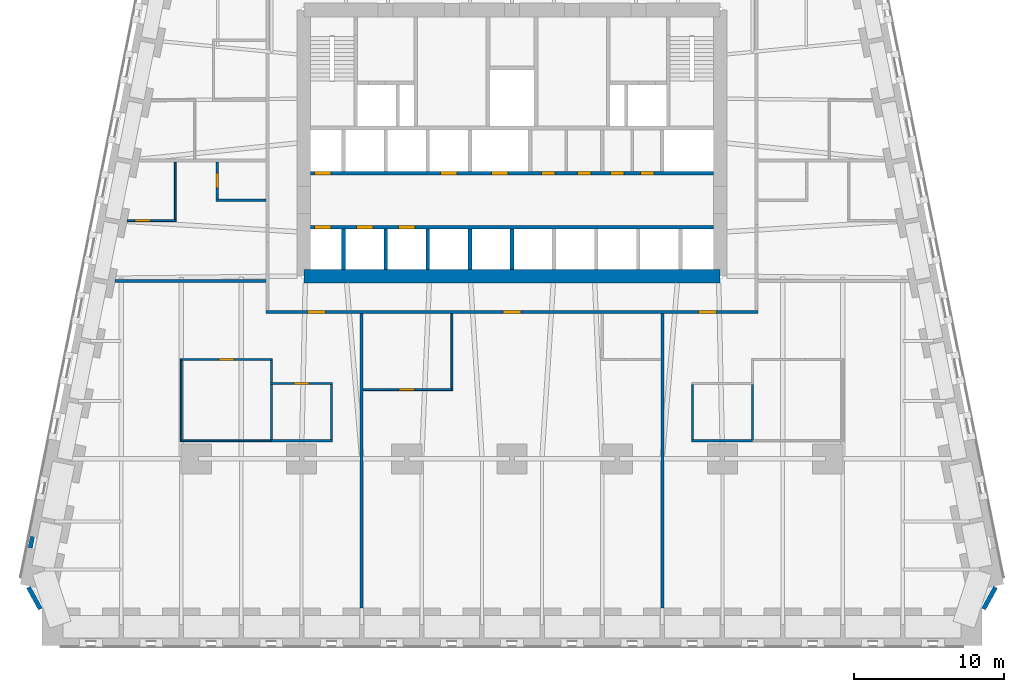
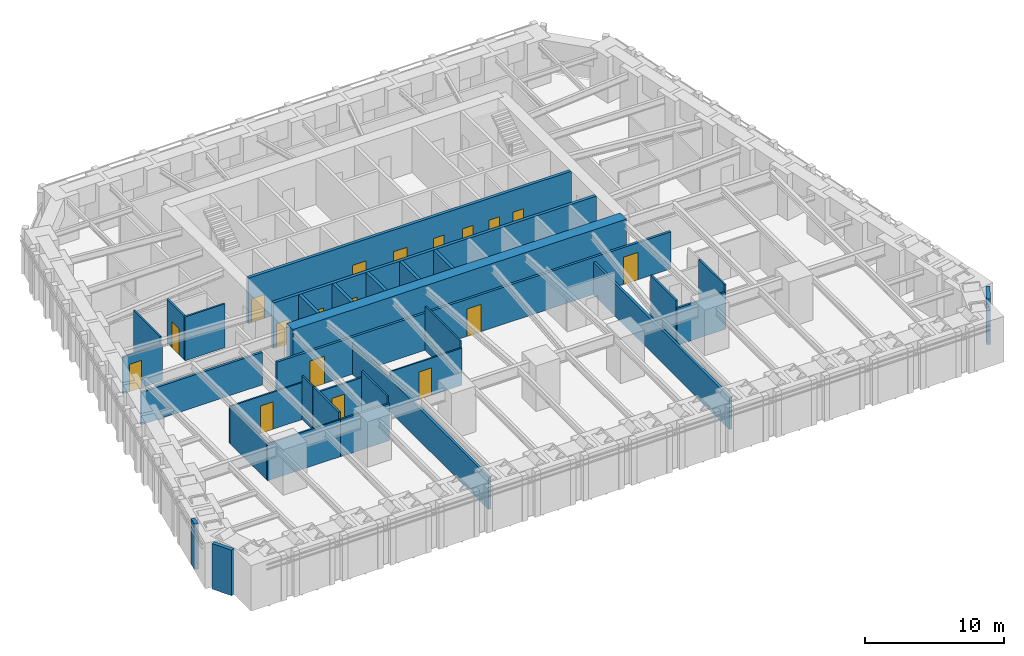
# One storey, part 12 of 16: 32 walls, 18 doors, 18 openings.
"""IFC4 building model written with IfcOpenShell, lengths in metres."""

import ifcopenshell
import ifcopenshell.guid

model = None  # the IFC model being written
_history = None  # IfcOwnerHistory: only IFC2X3 demands one
_inside = {}  # id of a spatial element -> (the spatial element, [elements in it])
_under = {}  # id of a project, library or spatial element -> (it, [spatial elements below it])
_declared = {}  # id of a project -> (the project, [libraries it declares])
_typed = {}  # id of a type object -> (the type object, [elements of that type])
_made_of = {}  # id of a material, layer set ... -> (it, [elements and type objects made of it])


def new_model(schema):
    """Start an empty IFC model of exactly this schema.

    Asked for "IFC4X3", IfcOpenShell would pick the latest addendum, in which some entities
    have other attributes; the version numbers below select the first issue.
    IFC2X3 requires an IfcOwnerHistory on every rooted entity: one is made here for all.
    """
    global model, _history
    if schema == "IFC4X3":
        model = ifcopenshell.file(schema_version=(4, 3, 0, 0))
    else:
        model = ifcopenshell.file(schema=schema)
    _inside.clear()
    _under.clear()
    _declared.clear()
    _typed.clear()
    _made_of.clear()
    _history = None
    if model.schema == "IFC2X3":
        org = make("IfcOrganization", Name="unknown")
        user = make(
            "IfcPersonAndOrganization",
            ThePerson=make("IfcPerson", FamilyName="unknown"),
            TheOrganization=org,
        )
        app = make(
            "IfcApplication",
            ApplicationDeveloper=org,
            Version="unknown",
            ApplicationFullName="unknown",
            ApplicationIdentifier="unknown",
        )
        _history = make(
            "IfcOwnerHistory",
            OwningUser=user,
            OwningApplication=app,
            ChangeAction="ADDED",
            CreationDate=0,
        )
    return model


def make(cls, **values):
    """One entity of the class cls with the attributes given. An attribute that is None is left unset."""
    return model.create_entity(
        cls, **{name: value for name, value in values.items() if value is not None}
    )


def rooted(cls, **values):
    """An entity with a GlobalId (a new one), such as an element, a storey or a relation."""
    return make(cls, GlobalId=ifcopenshell.guid.new(), OwnerHistory=_history, **values)


def si_unit(unit_type, name, prefix=None):
    """IfcSIUnit, for example si_unit("LENGTHUNIT", "METRE", prefix="MILLI")."""
    return make("IfcSIUnit", UnitType=unit_type, Prefix=prefix, Name=name)


def assignment(units):
    """IfcUnitAssignment: the units of a project."""
    return None if units is None else make("IfcUnitAssignment", Units=units)


def point(xyz):
    """IfcCartesianPoint."""
    return None if xyz is None else make("IfcCartesianPoint", Coordinates=xyz)


def direction(xyz):
    """IfcDirection."""
    return None if xyz is None else make("IfcDirection", DirectionRatios=xyz)


def frame(location, z_axis=None, x_axis=None):
    """IfcAxis2Placement3D, a coordinate frame: its origin and axes. An axis left out is left unset."""
    return make(
        "IfcAxis2Placement3D",
        Location=point(location),
        Axis=direction(z_axis),
        RefDirection=direction(x_axis),
    )


def frame_2d(location, x_axis=None):
    """IfcAxis2Placement2D, a coordinate frame in the plane: its origin and x axis."""
    return make(
        "IfcAxis2Placement2D", Location=point(location), RefDirection=direction(x_axis)
    )


def origin():
    """The frame at (0, 0, 0) with its axes left unset."""
    return frame((0.0, 0.0, 0.0))


def place(relative_to, where):
    """IfcLocalPlacement: puts the frame where relative to a parent placement (None: the world)."""
    return make(
        "IfcLocalPlacement", PlacementRelTo=relative_to, RelativePlacement=where
    )


def context(
    kind, dimensions, precision=None, world=None, true_north=None, identifier=None
):
    """IfcGeometricRepresentationContext, for example the 3D "Model" context."""
    return make(
        "IfcGeometricRepresentationContext",
        ContextIdentifier=identifier,
        ContextType=kind,
        CoordinateSpaceDimension=dimensions,
        Precision=precision,
        WorldCoordinateSystem=world,
        TrueNorth=true_north,
    )


def subcontext(parent, identifier, kind, view, scale=None):
    """IfcGeometricRepresentationSubContext, for example "Body" below "Model"."""
    return make(
        "IfcGeometricRepresentationSubContext",
        ContextIdentifier=identifier,
        ContextType=kind,
        ParentContext=parent,
        TargetScale=scale,
        TargetView=view,
    )


def project(units=None, contexts=None):
    """IfcProject with its units and contexts."""
    return rooted(
        "IfcProject",
        Name="project",
        RepresentationContexts=contexts,
        UnitsInContext=assignment(units),
    )


def spatial(cls, under=None, at=None, **own):
    """A site, building, storey or space (cls), placed at a placement, below another one or the project."""
    s = rooted(cls, ObjectPlacement=at, **own)
    if under is not None:
        _under.setdefault(under.id(), (under, []))[1].append(s)
    return s


def profile(cls, at=None, kind="AREA", **sizes):
    """A parametric profile (cls). Its sizes go by their IFC names, for example OverallWidth=200.0."""
    return make(cls, ProfileType=kind, Position=at, **sizes)


def rectangle(**sizes):
    """IfcRectangleProfileDef."""
    return profile("IfcRectangleProfileDef", **sizes)


def extrude(swept, where, along, depth):
    """IfcExtrudedAreaSolid: the profile swept, set in the frame where, extruded along a direction by depth."""
    return make(
        "IfcExtrudedAreaSolid",
        SweptArea=swept,
        Position=where,
        ExtrudedDirection=direction(along),
        Depth=depth,
    )


def shape(context_of_items, identifier, shape_type, items):
    """IfcShapeRepresentation: the items that make up one representation, for example the "Body"."""
    return make(
        "IfcShapeRepresentation",
        ContextOfItems=context_of_items,
        RepresentationIdentifier=identifier,
        RepresentationType=shape_type,
        Items=items,
    )


def material(Name=None, Category=None):
    """IfcMaterial."""
    return make("IfcMaterial", Name=Name, Category=Category)


def layer(
    of_material, thickness, ventilated=None, Name=None, Category=None, Priority=None
):
    """IfcMaterialLayer: one layer of a wall or slab, of a material (None: an air gap)."""
    return make(
        "IfcMaterialLayer",
        Material=of_material,
        LayerThickness=thickness,
        IsVentilated=ventilated,
        Name=Name,
        Category=Category,
        Priority=Priority,
    )


def layer_set(layers, Name=None):
    """IfcMaterialLayerSet."""
    return make("IfcMaterialLayerSet", MaterialLayers=layers, LayerSetName=Name)


def made_of(thing, what):
    """Note that an element or type object is made of a material, layer set ...; save() writes the relation."""
    if what is not None:
        _made_of.setdefault(what.id(), (what, []))[1].append(thing)
    return thing


def type_object(cls, material=None, **own):
    """A type object (cls), such as IfcWallType, which elements share."""
    return made_of(rooted(cls, **own), material)


def element(
    cls,
    number,
    at=None,
    inside=None,
    cuts=None,
    type_object=None,
    material=None,
    context=None,
    identifier="Body",
    shape_type=None,
    held_by="IfcProductDefinitionShape",
    body=None,
    shapes=None,
    **own,
):
    """One element of the class cls, such as IfcWall. Its Tag is "e" and its number.

    at: its placement. inside: the storey or other place that contains it. cuts: it is an
    opening in that element (IfcRelVoidsElement). A single representation is given by context,
    identifier, shape_type and body (its items); several are given by shapes. held_by: the class
    of the entity that holds the representations. save() writes the other relations.
    """
    e = rooted(cls, Tag="e%d" % number, ObjectPlacement=at, **own)
    if body is not None:
        shapes = [shape(context, identifier, shape_type, body)]
    if shapes is not None:
        e.Representation = make(held_by, Representations=shapes)
    if inside is not None:
        _inside.setdefault(inside.id(), (inside, []))[1].append(e)
    if cuts is not None:
        rooted(
            "IfcRelVoidsElement", RelatingBuildingElement=cuts, RelatedOpeningElement=e
        )
    if type_object is not None:
        _typed.setdefault(type_object.id(), (type_object, []))[1].append(e)
    return made_of(e, material)


def fill(opening, filler):
    """IfcRelFillsElement: the door or window that sits in an opening."""
    return rooted(
        "IfcRelFillsElement",
        RelatingOpeningElement=opening,
        RelatedBuildingElement=filler,
    )


def aggregate(whole, parts):
    """IfcRelAggregates: a whole, such as a stair, and the parts it consists of."""
    return rooted("IfcRelAggregates", RelatingObject=whole, RelatedObjects=parts)


def save(model, path):
    """Write the relations noted so far, then the file.

    IfcRelAggregates (storeys below a building ...), IfcRelContainedInSpatialStructure (elements
    in a storey), IfcRelDefinesByType, IfcRelAssociatesMaterial and IfcRelDeclares: one each for
    every whole, place, type object, material and project.
    """
    for whole, parts in _under.values():
        aggregate(whole, parts)
    for where, things in _inside.values():
        rooted(
            "IfcRelContainedInSpatialStructure",
            RelatedElements=things,
            RelatingStructure=where,
        )
    for kind, things in _typed.values():
        rooted("IfcRelDefinesByType", RelatedObjects=things, RelatingType=kind)
    for what, things in _made_of.values():
        rooted("IfcRelAssociatesMaterial", RelatedObjects=things, RelatingMaterial=what)
    for by, libraries in _declared.values():
        rooted("IfcRelDeclares", RelatingContext=by, RelatedDefinitions=libraries)
    model.write(path)


model = new_model("IFC4")

# Units and contexts
model_context = context("Model", 3, precision=1e-05, world=origin(), true_north=direction((0.0, 1.0)))
body_context = subcontext(model_context, "Body", "Model", "MODEL_VIEW")
ifc_project = project(units=[si_unit("LENGTHUNIT", "METRE"), si_unit("AREAUNIT", "SQUARE_METRE"), si_unit("VOLUMEUNIT", "CUBIC_METRE"), si_unit("PLANEANGLEUNIT", "RADIAN"), si_unit("MASSUNIT", "GRAM", prefix="KILO")], contexts=[model_context])

# Site, building, storey
site_placement = place(None, origin())
site = spatial("IfcSite", under=ifc_project, at=site_placement, CompositionType="ELEMENT")
building_placement = place(site_placement, origin())
building = spatial("IfcBuilding", under=site, at=building_placement, Name="Isbrekke Arena Tower", CompositionType="ELEMENT")
storey_placement = place(building_placement, frame((0.0, 0.0, 40.0)))
storey = spatial("IfcBuildingStorey", under=building, at=storey_placement, Name="L07", CompositionType="ELEMENT", Elevation=40.0)

# Wall
ifc_material_1 = material(Name="Concrete B65 (C65/80)", Category="concrete")
ifc_layer_1 = layer(ifc_material_1, 0.89990234375)
ifc_layer_set_1 = layer_set([ifc_layer_1], Name="CW2 CORE WALL 900")
wall_type_1 = type_object("IfcWallType", Name="CW2 CORE WALL 900", PredefinedType="SHEAR", material=ifc_layer_set_1)
wall_1_placement = place(storey_placement, frame((-13.85009765625, 6.14990234375, 0.0), z_axis=(0.0, 0.0, 1.0), x_axis=(1.0, 0.0, 0.0)))
element("IfcWall", 1, at=wall_1_placement, inside=storey, type_object=wall_type_1, Name="Core wall S L07", PredefinedType="SHEAR", context=body_context, shape_type="SweptSolid", body=[
    extrude(rectangle(XDim=27.7001953125, YDim=0.89990234375, at=frame_2d((13.85009765625, 0.0))), origin(), (0.0, 0.0, 1.0), 4.0),
])

# Wall, openings, doors
ifc_material_2 = material(Name="Concrete B45 (C45/55)", Category="concrete")
ifc_layer_2 = layer(ifc_material_2, 0.25)
ifc_layer_set_2 = layer_set([ifc_layer_2], Name="CW6 SHAFT WALL 250")
wall_type_2 = type_object("IfcWallType", Name="CW6 SHAFT WALL 250", PredefinedType="SHEAR", material=ifc_layer_set_2)
wall_2_placement = place(storey_placement, frame((-13.39990234375, 9.39990234375, 0.0), z_axis=(0.0, 0.0, 1.0), x_axis=(1.0, 0.0, 0.0)))
wall_2 = element("IfcWall", 2, at=wall_2_placement, inside=storey, type_object=wall_type_2, Name="Core wall LS L07", PredefinedType="SHEAR", context=body_context, shape_type="SweptSolid", body=[
    extrude(rectangle(XDim=26.7998046875, YDim=0.25, at=frame_2d((13.39990234375, 0.0))), origin(), (0.0, 0.0, 1.0), 4.0),
])
opening_1_placement = place(wall_2_placement, frame((0.25, 0.0, 0.0)))
opening_1 = element("IfcOpeningElement", 3, at=opening_1_placement, cuts=wall_2, Name="Opening LD1", PredefinedType="OPENING", context=body_context, shape_type="SweptSolid", body=[
    extrude(rectangle(XDim=1.10009765625, YDim=2.10009765625, at=frame_2d((0.550048828125, 1.050048828125))), frame((0.0, 0.139892578125, 0.0), z_axis=(0.0, -1.0, 0.0), x_axis=(1.0, 0.0, 0.0)), (0.0, 0.0, 1.0), 0.27978515625),
])
opening_2_placement = place(wall_2_placement, frame((3.050048828125, 0.0, 0.0)))
opening_2 = element("IfcOpeningElement", 4, at=opening_2_placement, cuts=wall_2, Name="Opening LD1", PredefinedType="OPENING", context=body_context, shape_type="SweptSolid", body=[
    extrude(rectangle(XDim=1.10009765625, YDim=2.10009765625, at=frame_2d((0.550048828125, 1.050048828125))), frame((0.0, 0.139892578125, 0.0), z_axis=(0.0, -1.0, 0.0), x_axis=(1.0, 0.0, 0.0)), (0.0, 0.0, 1.0), 0.27978515625),
])
opening_3_placement = place(wall_2_placement, frame((5.85009765625, 0.0, 0.0)))
opening_3 = element("IfcOpeningElement", 5, at=opening_3_placement, cuts=wall_2, Name="Opening LD1", PredefinedType="OPENING", context=body_context, shape_type="SweptSolid", body=[
    extrude(rectangle(XDim=1.10009765625, YDim=2.10009765625, at=frame_2d((0.550048828125, 1.050048828125))), frame((0.0, 0.139892578125, 0.0), z_axis=(0.0, -1.0, 0.0), x_axis=(1.0, 0.0, 0.0)), (0.0, 0.0, 1.0), 0.27978515625),
])
ifc_material_3 = material(Name="Stainless steel lift landing door", Category="steel")
door_type_1 = type_object("IfcDoorType", Name="LD1 LIFT LANDING DOOR 1100 x 2100", OperationType="SLIDING_TO_LEFT", PredefinedType="DOOR", material=ifc_material_3)
door_1_placement = place(opening_1_placement, origin())
door_1 = element("IfcDoor", 6, at=door_1_placement, inside=storey, type_object=door_type_1, Name="LD1 lift landing door LA L07", OperationType="SLIDING_TO_LEFT", OverallHeight=2.10009765625, OverallWidth=1.10009765625, PredefinedType="DOOR", context=body_context, shape_type="SweptSolid", body=[
    extrude(rectangle(XDim=1.10009765625, YDim=2.10009765625, at=frame_2d((0.550048828125, 1.050048828125))), frame((0.0, 0.124755859375, 0.0), z_axis=(0.0, -1.0, 0.0), x_axis=(1.0, 0.0, 0.0)), (0.0, 0.0, 1.0), 0.24951171875),
])
fill(opening_1, door_1)
door_2_placement = place(opening_2_placement, origin())
door_2 = element("IfcDoor", 7, at=door_2_placement, inside=storey, type_object=door_type_1, Name="LD1 lift landing door LA L07", OperationType="SLIDING_TO_LEFT", OverallHeight=2.10009765625, OverallWidth=1.10009765625, PredefinedType="DOOR", context=body_context, shape_type="SweptSolid", body=[
    extrude(rectangle(XDim=1.10009765625, YDim=2.10009765625, at=frame_2d((0.550048828125, 1.050048828125))), frame((0.0, 0.124755859375, 0.0), z_axis=(0.0, -1.0, 0.0), x_axis=(1.0, 0.0, 0.0)), (0.0, 0.0, 1.0), 0.24951171875),
])
fill(opening_2, door_2)
door_3_placement = place(opening_3_placement, origin())
door_3 = element("IfcDoor", 8, at=door_3_placement, inside=storey, type_object=door_type_1, Name="LD1 lift landing door LA L07", OperationType="SLIDING_TO_LEFT", OverallHeight=2.10009765625, OverallWidth=1.10009765625, PredefinedType="DOOR", context=body_context, shape_type="SweptSolid", body=[
    extrude(rectangle(XDim=1.10009765625, YDim=2.10009765625, at=frame_2d((0.550048828125, 1.050048828125))), frame((0.0, 0.124755859375, 0.0), z_axis=(0.0, -1.0, 0.0), x_axis=(1.0, 0.0, 0.0)), (0.0, 0.0, 1.0), 0.24951171875),
])
fill(opening_3, door_3)

wall_3_placement = place(storey_placement, frame((-13.39990234375, 13.0, 0.0), z_axis=(0.0, 0.0, 1.0), x_axis=(1.0, 0.0, 0.0)))
wall_3 = element("IfcWall", 9, at=wall_3_placement, inside=storey, type_object=wall_type_2, Name="Core wall LN L07", PredefinedType="SHEAR", context=body_context, shape_type="SweptSolid", body=[
    extrude(rectangle(XDim=26.7998046875, YDim=0.25, at=frame_2d((13.39990234375, 0.0))), origin(), (0.0, 0.0, 1.0), 4.0),
])
opening_4_placement = place(wall_3_placement, frame((0.25, 0.0, 0.0)))
opening_4 = element("IfcOpeningElement", 10, at=opening_4_placement, cuts=wall_3, Name="Opening LD1", PredefinedType="OPENING", context=body_context, shape_type="SweptSolid", body=[
    extrude(rectangle(XDim=1.10009765625, YDim=2.10009765625, at=frame_2d((0.550048828125, 1.050048828125))), frame((0.0, 0.139892578125, 0.0), z_axis=(0.0, -1.0, 0.0), x_axis=(1.0, 0.0, 0.0)), (0.0, 0.0, 1.0), 0.27978515625),
])
opening_5_placement = place(wall_3_placement, frame((8.64990234375, 0.0, 0.0)))
opening_5 = element("IfcOpeningElement", 11, at=opening_5_placement, cuts=wall_3, Name="Opening LD1", PredefinedType="OPENING", context=body_context, shape_type="SweptSolid", body=[
    extrude(rectangle(XDim=1.10009765625, YDim=2.10009765625, at=frame_2d((0.550048828125, 1.050048828125))), frame((0.0, 0.139892578125, 0.0), z_axis=(0.0, -1.0, 0.0), x_axis=(1.0, 0.0, 0.0)), (0.0, 0.0, 1.0), 0.27978515625),
])
opening_6_placement = place(wall_3_placement, frame((12.050048828125, 0.0, 0.0)))
opening_6 = element("IfcOpeningElement", 12, at=opening_6_placement, cuts=wall_3, Name="Opening LD1", PredefinedType="OPENING", context=body_context, shape_type="SweptSolid", body=[
    extrude(rectangle(XDim=1.10009765625, YDim=2.10009765625, at=frame_2d((0.550048828125, 1.050048828125))), frame((0.0, 0.139892578125, 0.0), z_axis=(0.0, -1.0, 0.0), x_axis=(1.0, 0.0, 0.0)), (0.0, 0.0, 1.0), 0.27978515625),
])
opening_7_placement = place(wall_3_placement, frame((15.35009765625, 0.0, 0.0)))
opening_7 = element("IfcOpeningElement", 13, at=opening_7_placement, cuts=wall_3, Name="Opening D5", PredefinedType="OPENING", context=body_context, shape_type="SweptSolid", body=[
    extrude(rectangle(XDim=0.89990234375, YDim=2.10009765625, at=frame_2d((0.449951171875, 1.050048828125))), frame((0.0, 0.139892578125, 0.0), z_axis=(0.0, -1.0, 0.0), x_axis=(1.0, 0.0, 0.0)), (0.0, 0.0, 1.0), 0.27978515625),
])
opening_8_placement = place(wall_3_placement, frame((17.75, 0.0, 0.0)))
opening_8 = element("IfcOpeningElement", 14, at=opening_8_placement, cuts=wall_3, Name="Opening D5", PredefinedType="OPENING", context=body_context, shape_type="SweptSolid", body=[
    extrude(rectangle(XDim=0.89990234375, YDim=2.10009765625, at=frame_2d((0.449951171875, 1.050048828125))), frame((0.0, 0.139892578125, 0.0), z_axis=(0.0, -1.0, 0.0), x_axis=(1.0, 0.0, 0.0)), (0.0, 0.0, 1.0), 0.27978515625),
])
opening_9_placement = place(wall_3_placement, frame((19.949951171875, 0.0, 0.0)))
opening_9 = element("IfcOpeningElement", 15, at=opening_9_placement, cuts=wall_3, Name="Opening D5", PredefinedType="OPENING", context=body_context, shape_type="SweptSolid", body=[
    extrude(rectangle(XDim=0.89990234375, YDim=2.10009765625, at=frame_2d((0.449951171875, 1.050048828125))), frame((0.0, 0.139892578125, 0.0), z_axis=(0.0, -1.0, 0.0), x_axis=(1.0, 0.0, 0.0)), (0.0, 0.0, 1.0), 0.27978515625),
])
opening_10_placement = place(wall_3_placement, frame((21.949951171875, 0.0, 0.0)))
opening_10 = element("IfcOpeningElement", 16, at=opening_10_placement, cuts=wall_3, Name="Opening D5", PredefinedType="OPENING", context=body_context, shape_type="SweptSolid", body=[
    extrude(rectangle(XDim=0.89990234375, YDim=2.10009765625, at=frame_2d((0.449951171875, 1.050048828125))), frame((0.0, 0.139892578125, 0.0), z_axis=(0.0, -1.0, 0.0), x_axis=(1.0, 0.0, 0.0)), (0.0, 0.0, 1.0), 0.27978515625),
])
ifc_material_4 = material(Name="Steel fire door", Category="steel")
door_type_2 = type_object("IfcDoorType", Name="D5 SERVICE DOOR 900 x 2100", OperationType="SINGLE_SWING_LEFT", PredefinedType="DOOR", material=ifc_material_4)
door_4_placement = place(opening_7_placement, origin())
door_4 = element("IfcDoor", 17, at=door_4_placement, inside=storey, type_object=door_type_2, Name="D5 mothers' room door L07", OperationType="SINGLE_SWING_LEFT", OverallHeight=2.10009765625, OverallWidth=0.89990234375, PredefinedType="DOOR", context=body_context, shape_type="SweptSolid", body=[
    extrude(rectangle(XDim=0.89990234375, YDim=2.10009765625, at=frame_2d((0.449951171875, 1.050048828125))), frame((0.0, 0.124755859375, 0.0), z_axis=(0.0, -1.0, 0.0), x_axis=(1.0, 0.0, 0.0)), (0.0, 0.0, 1.0), 0.24951171875),
])
fill(opening_7, door_4)
door_5_placement = place(opening_8_placement, origin())
door_5 = element("IfcDoor", 18, at=door_5_placement, inside=storey, type_object=door_type_2, Name="D5 cleaner's store door L07", OperationType="SINGLE_SWING_LEFT", OverallHeight=2.10009765625, OverallWidth=0.89990234375, PredefinedType="DOOR", context=body_context, shape_type="SweptSolid", body=[
    extrude(rectangle(XDim=0.89990234375, YDim=2.10009765625, at=frame_2d((0.449951171875, 1.050048828125))), frame((0.0, 0.124755859375, 0.0), z_axis=(0.0, -1.0, 0.0), x_axis=(1.0, 0.0, 0.0)), (0.0, 0.0, 1.0), 0.24951171875),
])
fill(opening_8, door_5)
door_6_placement = place(opening_9_placement, origin())
door_6 = element("IfcDoor", 19, at=door_6_placement, inside=storey, type_object=door_type_2, Name="D5 communications room door L07", OperationType="SINGLE_SWING_LEFT", OverallHeight=2.10009765625, OverallWidth=0.89990234375, PredefinedType="DOOR", context=body_context, shape_type="SweptSolid", body=[
    extrude(rectangle(XDim=0.89990234375, YDim=2.10009765625, at=frame_2d((0.449951171875, 1.050048828125))), frame((0.0, 0.124755859375, 0.0), z_axis=(0.0, -1.0, 0.0), x_axis=(1.0, 0.0, 0.0)), (0.0, 0.0, 1.0), 0.24951171875),
])
fill(opening_9, door_6)
door_7_placement = place(opening_10_placement, origin())
door_7 = element("IfcDoor", 20, at=door_7_placement, inside=storey, type_object=door_type_2, Name="D5 tenant store door L07", OperationType="SINGLE_SWING_LEFT", OverallHeight=2.10009765625, OverallWidth=0.89990234375, PredefinedType="DOOR", context=body_context, shape_type="SweptSolid", body=[
    extrude(rectangle(XDim=0.89990234375, YDim=2.10009765625, at=frame_2d((0.449951171875, 1.050048828125))), frame((0.0, 0.124755859375, 0.0), z_axis=(0.0, -1.0, 0.0), x_axis=(1.0, 0.0, 0.0)), (0.0, 0.0, 1.0), 0.24951171875),
])
fill(opening_10, door_7)
door_8_placement = place(opening_4_placement, origin())
door_8 = element("IfcDoor", 21, at=door_8_placement, inside=storey, type_object=door_type_1, Name="LD1 lift landing door LA L07", OperationType="SLIDING_TO_LEFT", OverallHeight=2.10009765625, OverallWidth=1.10009765625, PredefinedType="DOOR", context=body_context, shape_type="SweptSolid", body=[
    extrude(rectangle(XDim=1.10009765625, YDim=2.10009765625, at=frame_2d((0.550048828125, 1.050048828125))), frame((0.0, 0.124755859375, 0.0), z_axis=(0.0, -1.0, 0.0), x_axis=(1.0, 0.0, 0.0)), (0.0, 0.0, 1.0), 0.24951171875),
])
fill(opening_4, door_8)
door_9_placement = place(opening_5_placement, origin())
door_9 = element("IfcDoor", 22, at=door_9_placement, inside=storey, type_object=door_type_1, Name="LD1 lift landing door LA L07", OperationType="SLIDING_TO_LEFT", OverallHeight=2.10009765625, OverallWidth=1.10009765625, PredefinedType="DOOR", context=body_context, shape_type="SweptSolid", body=[
    extrude(rectangle(XDim=1.10009765625, YDim=2.10009765625, at=frame_2d((0.550048828125, 1.050048828125))), frame((0.0, 0.124755859375, 0.0), z_axis=(0.0, -1.0, 0.0), x_axis=(1.0, 0.0, 0.0)), (0.0, 0.0, 1.0), 0.24951171875),
])
fill(opening_5, door_9)
door_10_placement = place(opening_6_placement, origin())
door_10 = element("IfcDoor", 23, at=door_10_placement, inside=storey, type_object=door_type_1, Name="LD1 lift landing door LA L07", OperationType="SLIDING_TO_LEFT", OverallHeight=2.10009765625, OverallWidth=1.10009765625, PredefinedType="DOOR", context=body_context, shape_type="SweptSolid", body=[
    extrude(rectangle(XDim=1.10009765625, YDim=2.10009765625, at=frame_2d((0.550048828125, 1.050048828125))), frame((0.0, 0.124755859375, 0.0), z_axis=(0.0, -1.0, 0.0), x_axis=(1.0, 0.0, 0.0)), (0.0, 0.0, 1.0), 0.24951171875),
])
fill(opening_6, door_10)

# Walls
for number, where, z_axis, x_axis, name in (
    (24, (-11.199951171875, 6.60009765625, 0.0), (0.0, 0.0, 1.0), (0.0, 1.0, 0.0), "Core wall SS01 L07"),
    (25, (-8.39990234375, 6.60009765625, 0.0), (0.0, 0.0, 1.0), (0.0, 1.0, 0.0), "Core wall SS02 L07"),
    (26, (-5.60009765625, 6.60009765625, 0.0), (0.0, 0.0, 1.0), (0.0, 1.0, 0.0), "Core wall SS03 L07"),
    (27, (-2.800048828125, 6.60009765625, 0.0), (0.0, 0.0, 1.0), (0.0, 1.0, 0.0), "Core wall SS04 L07"),
    (28, (0.0, 6.60009765625, 0.0), (0.0, 0.0, 1.0), (0.0, 1.0, 0.0), "Core wall SS05 L07"),
):
    element("IfcWall", number, at=place(storey_placement, frame(where, z_axis=z_axis, x_axis=x_axis)), inside=storey, type_object=wall_type_2, Name=name, PredefinedType="SHEAR", context=body_context, shape_type="SweptSolid", body=[
        extrude(rectangle(XDim=2.6748046875, YDim=0.25, at=frame_2d((1.33740234375, 0.0))), origin(), (0.0, 0.0, 1.0), 4.0),
    ])
ifc_material_5 = material(Name="Insulated aluminium panel on steel framing", Category="steel")
ifc_layer_3 = layer(ifc_material_5, 0.300048828125)
ifc_layer_set_3 = layer_set([ifc_layer_3], Name="EW4 INSULATED PANEL WALL 300")
wall_type_3 = type_object("IfcWallType", Name="EW4 INSULATED PANEL WALL 300", PredefinedType="SOLIDWALL", material=ifc_layer_set_3)
wall_4_placement = place(storey_placement, frame((31.36328125, -15.98828125, 0.0), z_axis=(0.0, 0.0, 1.0), x_axis=(0.481879089964, 0.876237720402, 0.0)))
element("IfcWall", 29, at=wall_4_placement, inside=storey, type_object=wall_type_3, Name="EW4 corner closure panel L07-SE", PredefinedType="SOLIDWALL", context=body_context, shape_type="SweptSolid", body=[
    extrude(rectangle(XDim=1.654296875, YDim=0.300048828125, at=frame_2d((0.8271484375, 0.0))), origin(), (0.0, 0.0, 1.0), 4.0),
])
wall_5_placement = place(storey_placement, frame((-31.890380859375, -11.1767578125, 0.0), z_axis=(0.0, 0.0, 1.0), x_axis=(-0.195867092459, -0.980630451338, 0.0)))
element("IfcWall", 30, at=wall_5_placement, inside=storey, type_object=wall_type_3, Name="EW4 closure panel L07-W 1", PredefinedType="SOLIDWALL", context=body_context, shape_type="SweptSolid", body=[
    extrude(rectangle(XDim=0.754150390625, YDim=0.300048828125, at=frame_2d((0.376953125, 0.0))), origin(), (0.0, 0.0, 1.0), 4.0),
])
wall_6_placement = place(storey_placement, frame((-32.160400390625, -14.538818359375, 0.0), z_axis=(0.0, 0.0, 1.0), x_axis=(0.481879089964, -0.876237720402, 0.0)))
element("IfcWall", 31, at=wall_6_placement, inside=storey, type_object=wall_type_3, Name="EW4 corner closure panel L07-WS", PredefinedType="SOLIDWALL", context=body_context, shape_type="SweptSolid", body=[
    extrude(rectangle(XDim=1.654296875, YDim=0.300048828125, at=frame_2d((0.8271484375, 0.0))), origin(), (0.0, 0.0, 1.0), 4.0),
])
ifc_material_6 = material(Name="Gypsum board partition on steel studs", Category="steel")
ifc_layer_4 = layer(ifc_material_6, 0.14990234375)
ifc_layer_set_4 = layer_set([ifc_layer_4], Name="IW1 PARTITION 150")
wall_type_4 = type_object("IfcWallType", Name="IW1 PARTITION 150", PredefinedType="PARTITIONING", material=ifc_layer_set_4)
for number, where, z_axis, x_axis, name in (
    (32, (-16.0, -4.800048828125, 0.0), (0.0, 0.0, 1.0), (1.0, 0.0, 0.0), "IW1 partition 150 L07"),
    (33, (11.925048828125, -4.800048828125, 0.0), (0.0, 0.0, 1.0), (1.0, 0.0, 0.0), "IW1 partition 150 L07"),
):
    element("IfcWall", number, at=place(storey_placement, frame(where, z_axis=z_axis, x_axis=x_axis)), inside=storey, type_object=wall_type_4, Name=name, PredefinedType="PARTITIONING", context=body_context, shape_type="SweptSolid", body=[
        extrude(rectangle(XDim=4.074951171875, YDim=0.14990234375, at=frame_2d((2.03759765625, 0.0))), origin(), (0.0, 0.0, 1.0), 3.25),
    ])

# Wall, opening, door
wall_7_placement = place(storey_placement, frame((-16.06005859375, -1.0, 0.0), z_axis=(0.0, 0.0, 1.0), x_axis=(1.0, 0.0, 0.0)))
wall_7 = element("IfcWall", 34, at=wall_7_placement, inside=storey, type_object=wall_type_4, Name="IW1 partition 150 L07", PredefinedType="PARTITIONING", context=body_context, shape_type="SweptSolid", body=[
    extrude(rectangle(XDim=4.135009765625, YDim=0.14990234375, at=frame_2d((2.0673828125, 0.0))), origin(), (0.0, 0.0, 1.0), 3.25),
])
opening_11_placement = place(wall_7_placement, frame((1.56005859375, 0.0, 0.0)))
opening_11 = element("IfcOpeningElement", 35, at=opening_11_placement, cuts=wall_7, Name="Opening D10", PredefinedType="OPENING", context=body_context, shape_type="SweptSolid", body=[
    extrude(rectangle(XDim=1.0, YDim=2.300048828125, at=frame_2d((0.5, 1.14990234375))), frame((0.0, 0.08984375, 0.0), z_axis=(0.0, -1.0, 0.0), x_axis=(1.0, 0.0, 0.0)), (0.0, 0.0, 1.0), 0.1796875),
])
ifc_material_7 = material(Name="Timber door", Category="wood")
door_type_3 = type_object("IfcDoorType", Name="D10 OFFICE DOOR 1000 x 2300", OperationType="SINGLE_SWING_LEFT", PredefinedType="DOOR", material=ifc_material_7)
door_11_placement = place(opening_11_placement, origin())
door_11 = element("IfcDoor", 36, at=door_11_placement, inside=storey, type_object=door_type_3, Name="D10 tea point door L07", OperationType="SINGLE_SWING_LEFT", OverallHeight=2.300048828125, OverallWidth=1.0, PredefinedType="DOOR", context=body_context, shape_type="SweptSolid", body=[
    extrude(rectangle(XDim=1.0, YDim=2.300048828125, at=frame_2d((0.5, 1.14990234375))), frame((0.0, 0.07470703125, 0.0), z_axis=(0.0, -1.0, 0.0), x_axis=(1.0, 0.0, 0.0)), (0.0, 0.0, 1.0), 0.1494140625),
])
fill(opening_11, door_11)

# Wall
wall_8_placement = place(storey_placement, frame((-19.675048828125, 11.199951171875, 0.0), z_axis=(0.0, 0.0, 1.0), x_axis=(1.0, 0.0, 0.0)))
element("IfcWall", 37, at=wall_8_placement, inside=storey, type_object=wall_type_4, Name="IW1 partition 150 L07", PredefinedType="PARTITIONING", context=body_context, shape_type="SweptSolid", body=[
    extrude(rectangle(XDim=3.324951171875, YDim=0.14990234375, at=frame_2d((1.66259765625, 0.0))), origin(), (0.0, 0.0, 1.0), 3.85009765625),
])

# Wall, opening, door
wall_9_placement = place(storey_placement, frame((-19.60009765625, 11.27490234375, 0.0), z_axis=(0.0, 0.0, 1.0), x_axis=(0.0, 1.0, 0.0)))
wall_9 = element("IfcWall", 38, at=wall_9_placement, inside=storey, type_object=wall_type_4, Name="IW1 partition 150 L07", PredefinedType="PARTITIONING", context=body_context, shape_type="SweptSolid", body=[
    extrude(rectangle(XDim=2.465087890625, YDim=0.14990234375, at=frame_2d((1.232421875, 0.0))), origin(), (0.0, 0.0, 1.0), 3.85009765625),
])
opening_12_placement = place(wall_9_placement, frame((0.7451171875, 0.0, 0.0)))
opening_12 = element("IfcOpeningElement", 39, at=opening_12_placement, cuts=wall_9, Name="Opening D10", PredefinedType="OPENING", context=body_context, shape_type="SweptSolid", body=[
    extrude(rectangle(XDim=1.0, YDim=2.300048828125, at=frame_2d((0.5, 1.14990234375))), frame((0.0, 0.08984375, 0.0), z_axis=(0.0, -1.0, 0.0), x_axis=(1.0, 0.0, 0.0)), (0.0, 0.0, 1.0), 0.1796875),
])
door_12_placement = place(opening_12_placement, origin())
door_12 = element("IfcDoor", 40, at=door_12_placement, inside=storey, type_object=door_type_3, Name="D10 tea point door L07", OperationType="SINGLE_SWING_LEFT", OverallHeight=2.300048828125, OverallWidth=1.0, PredefinedType="DOOR", context=body_context, shape_type="SweptSolid", body=[
    extrude(rectangle(XDim=1.0, YDim=2.300048828125, at=frame_2d((0.5, 1.14990234375))), frame((0.0, 0.07470703125, 0.0), z_axis=(0.0, -1.0, 0.0), x_axis=(1.0, 0.0, 0.0)), (0.0, 0.0, 1.0), 0.1494140625),
])
fill(opening_12, door_12)

# Walls
for number, where, z_axis, x_axis, name in (
    (41, (-16.0, -4.72509765625, 0.0), (0.0, 0.0, 1.0), (0.0, 1.0, 0.0), "IW1 partition 150 L07"),
    (42, (-12.0, -4.72509765625, 0.0), (0.0, 0.0, 1.0), (0.0, 1.0, 0.0), "IW1 partition 150 L07"),
    (43, (12.0, -4.72509765625, 0.0), (0.0, 0.0, 1.0), (0.0, 1.0, 0.0), "IW1 partition 150 L07"),
    (44, (16.0, -4.72509765625, 0.0), (0.0, 0.0, 1.0), (0.0, 1.0, 0.0), "IW1 partition 150 L07"),
):
    element("IfcWall", number, at=place(storey_placement, frame(where, z_axis=z_axis, x_axis=x_axis)), inside=storey, type_object=wall_type_4, Name=name, PredefinedType="PARTITIONING", context=body_context, shape_type="SweptSolid", body=[
        extrude(rectangle(XDim=3.650146484375, YDim=0.14990234375, at=frame_2d((1.8251953125, 0.0))), origin(), (0.0, 0.0, 1.0), 3.85009765625),
    ])
ifc_material_8 = material(Name="Frameless glazed partition, laminated acoustic glass", Category="glass")
ifc_layer_5 = layer(ifc_material_8, 0.1201171875)
ifc_layer_set_5 = layer_set([ifc_layer_5], Name="IW2 GLAZED PARTITION 120")
wall_type_5 = type_object("IfcWallType", Name="IW2 GLAZED PARTITION 120", PredefinedType="PARTITIONING", material=ifc_layer_set_5)
wall_10_placement = place(storey_placement, frame((-22.06005859375, -4.800048828125, 0.0), z_axis=(0.0, 0.0, 1.0), x_axis=(1.0, 0.0, 0.0)))
element("IfcWall", 45, at=wall_10_placement, inside=storey, type_object=wall_type_5, Name="IW2 glazed partition 120 L07", PredefinedType="PARTITIONING", context=body_context, shape_type="SweptSolid", body=[
    extrude(rectangle(XDim=6.06005859375, YDim=0.1201171875, at=frame_2d((3.030029296875, 0.0))), origin(), (0.0, 0.0, 1.0), 3.25),
])

# Wall, opening, door
wall_11_placement = place(storey_placement, frame((-9.89990234375, -1.39990234375, 0.0), z_axis=(0.0, 0.0, 1.0), x_axis=(1.0, 0.0, 0.0)))
wall_11 = element("IfcWall", 46, at=wall_11_placement, inside=storey, type_object=wall_type_5, Name="IW2 glazed partition 120 L07", PredefinedType="PARTITIONING", context=body_context, shape_type="SweptSolid", body=[
    extrude(rectangle(XDim=5.9599609375, YDim=0.1201171875, at=frame_2d((2.97998046875, 0.0))), origin(), (0.0, 0.0, 1.0), 3.25),
])
opening_13_placement = place(wall_11_placement, frame((2.39990234375, 0.0, 0.0)))
opening_13 = element("IfcOpeningElement", 47, at=opening_13_placement, cuts=wall_11, Name="Opening D11", PredefinedType="OPENING", context=body_context, shape_type="SweptSolid", body=[
    extrude(rectangle(XDim=1.0, YDim=2.39990234375, at=frame_2d((0.5, 1.199951171875))), frame((0.0, 0.074951171875, 0.0), z_axis=(0.0, -1.0, 0.0), x_axis=(1.0, 0.0, 0.0)), (0.0, 0.0, 1.0), 0.14990234375),
])
ifc_material_9 = material(Name="Frameless glazed door", Category="glass")
door_type_4 = type_object("IfcDoorType", Name="D11 GLAZED MEETING ROOM DOOR 1000 x 2400", OperationType="SINGLE_SWING_RIGHT", PredefinedType="DOOR", material=ifc_material_9)
door_13_placement = place(opening_13_placement, origin())
door_13 = element("IfcDoor", 48, at=door_13_placement, inside=storey, type_object=door_type_4, Name="D11 meeting room door L07", OperationType="SINGLE_SWING_RIGHT", OverallHeight=2.39990234375, OverallWidth=1.0, PredefinedType="DOOR", context=body_context, shape_type="SweptSolid", body=[
    extrude(rectangle(XDim=1.0, YDim=2.39990234375, at=frame_2d((0.5, 1.199951171875))), frame((0.0, 0.059814453125, 0.0), z_axis=(0.0, -1.0, 0.0), x_axis=(1.0, 0.0, 0.0)), (0.0, 0.0, 1.0), 0.11962890625),
])
fill(opening_13, door_13)

wall_12_placement = place(storey_placement, frame((-22.06005859375, 0.60009765625, 0.0), z_axis=(0.0, 0.0, 1.0), x_axis=(1.0, 0.0, 0.0)))
wall_12 = element("IfcWall", 49, at=wall_12_placement, inside=storey, type_object=wall_type_5, Name="IW2 glazed partition 120 L07", PredefinedType="PARTITIONING", context=body_context, shape_type="SweptSolid", body=[
    extrude(rectangle(XDim=6.1201171875, YDim=0.1201171875, at=frame_2d((3.06005859375, 0.0))), origin(), (0.0, 0.0, 1.0), 3.25),
])
opening_14_placement = place(wall_12_placement, frame((2.56005859375, 0.0, 0.0)))
opening_14 = element("IfcOpeningElement", 50, at=opening_14_placement, cuts=wall_12, Name="Opening D11", PredefinedType="OPENING", context=body_context, shape_type="SweptSolid", body=[
    extrude(rectangle(XDim=1.0, YDim=2.39990234375, at=frame_2d((0.5, 1.199951171875))), frame((0.0, 0.074951171875, 0.0), z_axis=(0.0, -1.0, 0.0), x_axis=(1.0, 0.0, 0.0)), (0.0, 0.0, 1.0), 0.14990234375),
])
door_14_placement = place(opening_14_placement, origin())
door_14 = element("IfcDoor", 51, at=door_14_placement, inside=storey, type_object=door_type_4, Name="D11 meeting room door L07", OperationType="SINGLE_SWING_RIGHT", OverallHeight=2.39990234375, OverallWidth=1.0, PredefinedType="DOOR", context=body_context, shape_type="SweptSolid", body=[
    extrude(rectangle(XDim=1.0, YDim=2.39990234375, at=frame_2d((0.5, 1.199951171875))), frame((0.0, 0.059814453125, 0.0), z_axis=(0.0, -1.0, 0.0), x_axis=(1.0, 0.0, 0.0)), (0.0, 0.0, 1.0), 0.11962890625),
])
fill(opening_14, door_14)

wall_13_placement = place(storey_placement, frame((-25.596435546875, 9.840087890625, 0.0), z_axis=(0.0, 0.0, 1.0), x_axis=(1.0, 0.0, 0.0)))
wall_13 = element("IfcWall", 52, at=wall_13_placement, inside=storey, type_object=wall_type_5, Name="IW2 glazed partition 120 L07", PredefinedType="PARTITIONING", context=body_context, shape_type="SweptSolid", body=[
    extrude(rectangle(XDim=3.25634765625, YDim=0.1201171875, at=frame_2d((1.628173828125, 0.0))), origin(), (0.0, 0.0, 1.0), 3.25),
])
opening_15_placement = place(wall_13_placement, frame((0.537353515625, 0.0, 0.0)))
opening_15 = element("IfcOpeningElement", 53, at=opening_15_placement, cuts=wall_13, Name="Opening D11", PredefinedType="OPENING", context=body_context, shape_type="SweptSolid", body=[
    extrude(rectangle(XDim=1.0, YDim=2.39990234375, at=frame_2d((0.5, 1.199951171875))), frame((0.0, 0.074951171875, 0.0), z_axis=(0.0, -1.0, 0.0), x_axis=(1.0, 0.0, 0.0)), (0.0, 0.0, 1.0), 0.14990234375),
])
door_15_placement = place(opening_15_placement, origin())
door_15 = element("IfcDoor", 54, at=door_15_placement, inside=storey, type_object=door_type_4, Name="D11 meeting room door L07", OperationType="SINGLE_SWING_RIGHT", OverallHeight=2.39990234375, OverallWidth=1.0, PredefinedType="DOOR", context=body_context, shape_type="SweptSolid", body=[
    extrude(rectangle(XDim=1.0, YDim=2.39990234375, at=frame_2d((0.5, 1.199951171875))), frame((0.0, 0.059814453125, 0.0), z_axis=(0.0, -1.0, 0.0), x_axis=(1.0, 0.0, 0.0)), (0.0, 0.0, 1.0), 0.11962890625),
])
fill(opening_15, door_15)

# Walls
wall_14_placement = place(storey_placement, frame((-22.39990234375, 9.89990234375, 0.0), z_axis=(0.0, 0.0, 1.0), x_axis=(0.0, 1.0, 0.0)))
element("IfcWall", 55, at=wall_14_placement, inside=storey, type_object=wall_type_5, Name="IW2 glazed partition 120 L07", PredefinedType="PARTITIONING", context=body_context, shape_type="SweptSolid", body=[
    extrude(rectangle(XDim=3.840087890625, YDim=0.1201171875, at=frame_2d((1.919921875, 0.0))), origin(), (0.0, 0.0, 1.0), 3.85009765625),
])
wall_15_placement = place(storey_placement, frame((-22.0, -4.739990234375, 0.0), z_axis=(0.0, 0.0, 1.0), x_axis=(0.0, 1.0, 0.0)))
element("IfcWall", 56, at=wall_15_placement, inside=storey, type_object=wall_type_5, Name="IW2 glazed partition 120 L07", PredefinedType="PARTITIONING", context=body_context, shape_type="SweptSolid", body=[
    extrude(rectangle(XDim=5.280029296875, YDim=0.1201171875, at=frame_2d((2.64013671875, 0.0))), origin(), (0.0, 0.0, 1.0), 3.25),
])
wall_16_placement = place(storey_placement, frame((-16.0, -0.925048828125, 0.0), z_axis=(0.0, 0.0, 1.0), x_axis=(0.0, 1.0, 0.0)))
element("IfcWall", 57, at=wall_16_placement, inside=storey, type_object=wall_type_5, Name="IW2 glazed partition 120 L07", PredefinedType="PARTITIONING", context=body_context, shape_type="SweptSolid", body=[
    extrude(rectangle(XDim=1.465087890625, YDim=0.1201171875, at=frame_2d((0.732421875, 0.0))), origin(), (0.0, 0.0, 1.0), 3.85009765625),
])
wall_17_placement = place(storey_placement, frame((-4.0, -1.340087890625, 0.0), z_axis=(0.0, 0.0, 1.0), x_axis=(0.0, 1.0, 0.0)))
element("IfcWall", 58, at=wall_17_placement, inside=storey, type_object=wall_type_5, Name="IW2 glazed partition 120 L07", PredefinedType="PARTITIONING", context=body_context, shape_type="SweptSolid", body=[
    extrude(rectangle(XDim=4.989990234375, YDim=0.1201171875, at=frame_2d((2.4951171875, 0.0))), origin(), (0.0, 0.0, 1.0), 3.85009765625),
])

# Wall, openings, doors
ifc_material_10 = material(Name="Gypsum board fire-cell wall on steel studs, two layers each side", Category="steel")
ifc_layer_6 = layer(ifc_material_10, 0.199951171875)
ifc_layer_set_6 = layer_set([ifc_layer_6], Name="IW3 FIRE-CELL WALL 200")
wall_type_6 = type_object("IfcWallType", Name="IW3 FIRE-CELL WALL 200", PredefinedType="PARTITIONING", material=ifc_layer_set_6)
wall_18_placement = place(storey_placement, frame((-16.35009765625, 3.75, 0.0), z_axis=(0.0, 0.0, 1.0), x_axis=(1.0, 0.0, 0.0)))
wall_18 = element("IfcWall", 59, at=wall_18_placement, inside=storey, type_object=wall_type_6, Name="IW3 fire-cell wall 200 L07", PredefinedType="PARTITIONING", context=body_context, shape_type="SweptSolid", body=[
    extrude(rectangle(XDim=32.7001953125, YDim=0.199951171875, at=frame_2d((16.35009765625, 0.0))), origin(), (0.0, 0.0, 1.0), 3.25),
])
opening_16_placement = place(wall_18_placement, frame((15.75, 0.0, 0.0)))
opening_16 = element("IfcOpeningElement", 60, at=opening_16_placement, cuts=wall_18, Name="Opening D12", PredefinedType="OPENING", context=body_context, shape_type="SweptSolid", body=[
    extrude(rectangle(XDim=1.199951171875, YDim=2.39990234375, at=frame_2d((0.60009765625, 1.199951171875))), frame((0.0, 0.11474609375, 0.0), z_axis=(0.0, -1.0, 0.0), x_axis=(1.0, 0.0, 0.0)), (0.0, 0.0, 1.0), 0.229736328125),
])
opening_17_placement = place(wall_18_placement, frame((2.75, 0.0, 0.0)))
opening_17 = element("IfcOpeningElement", 61, at=opening_17_placement, cuts=wall_18, Name="Opening D12", PredefinedType="OPENING", context=body_context, shape_type="SweptSolid", body=[
    extrude(rectangle(XDim=1.199951171875, YDim=2.39990234375, at=frame_2d((0.60009765625, 1.199951171875))), frame((0.0, 0.11474609375, 0.0), z_axis=(0.0, -1.0, 0.0), x_axis=(1.0, 0.0, 0.0)), (0.0, 0.0, 1.0), 0.229736328125),
])
opening_18_placement = place(wall_18_placement, frame((28.75, 0.0, 0.0)))
opening_18 = element("IfcOpeningElement", 62, at=opening_18_placement, cuts=wall_18, Name="Opening D12", PredefinedType="OPENING", context=body_context, shape_type="SweptSolid", body=[
    extrude(rectangle(XDim=1.199951171875, YDim=2.39990234375, at=frame_2d((0.60009765625, 1.199951171875))), frame((0.0, 0.11474609375, 0.0), z_axis=(0.0, -1.0, 0.0), x_axis=(1.0, 0.0, 0.0)), (0.0, 0.0, 1.0), 0.229736328125),
])
ifc_material_11 = material(Name="Timber fire door with vision panel", Category="wood")
door_type_5 = type_object("IfcDoorType", Name="D12 SUITE ENTRANCE DOOR 1200 x 2400", OperationType="SINGLE_SWING_LEFT", PredefinedType="DOOR", material=ifc_material_11)
door_16_placement = place(opening_16_placement, origin())
door_16 = element("IfcDoor", 63, at=door_16_placement, inside=storey, type_object=door_type_5, Name="D12 suite entrance S door L07", OperationType="SINGLE_SWING_LEFT", OverallHeight=2.39990234375, OverallWidth=1.199951171875, PredefinedType="DOOR", context=body_context, shape_type="SweptSolid", body=[
    extrude(rectangle(XDim=1.199951171875, YDim=2.39990234375, at=frame_2d((0.60009765625, 1.199951171875))), frame((0.0, 0.099609375, 0.0), z_axis=(0.0, -1.0, 0.0), x_axis=(1.0, 0.0, 0.0)), (0.0, 0.0, 1.0), 0.199462890625),
])
fill(opening_16, door_16)
door_17_placement = place(opening_17_placement, origin())
door_17 = element("IfcDoor", 64, at=door_17_placement, inside=storey, type_object=door_type_5, Name="D12 suite entrance SW door L07", OperationType="SINGLE_SWING_LEFT", OverallHeight=2.39990234375, OverallWidth=1.199951171875, PredefinedType="DOOR", context=body_context, shape_type="SweptSolid", body=[
    extrude(rectangle(XDim=1.199951171875, YDim=2.39990234375, at=frame_2d((0.60009765625, 1.199951171875))), frame((0.0, 0.099609375, 0.0), z_axis=(0.0, -1.0, 0.0), x_axis=(1.0, 0.0, 0.0)), (0.0, 0.0, 1.0), 0.199462890625),
])
fill(opening_17, door_17)
door_18_placement = place(opening_18_placement, origin())
door_18 = element("IfcDoor", 65, at=door_18_placement, inside=storey, type_object=door_type_5, Name="D12 suite entrance SE door L07", OperationType="SINGLE_SWING_LEFT", OverallHeight=2.39990234375, OverallWidth=1.199951171875, PredefinedType="DOOR", context=body_context, shape_type="SweptSolid", body=[
    extrude(rectangle(XDim=1.199951171875, YDim=2.39990234375, at=frame_2d((0.60009765625, 1.199951171875))), frame((0.0, 0.099609375, 0.0), z_axis=(0.0, -1.0, 0.0), x_axis=(1.0, 0.0, 0.0)), (0.0, 0.0, 1.0), 0.199462890625),
])
fill(opening_18, door_18)

# Walls
wall_19_placement = place(storey_placement, frame((-26.396484375, 5.840087890625, 0.0), z_axis=(0.0, 0.0, 1.0), x_axis=(1.0, 0.0, 0.0)))
element("IfcWall", 66, at=wall_19_placement, inside=storey, type_object=wall_type_6, Name="IW3 fire-cell wall 200 L07", PredefinedType="PARTITIONING", context=body_context, shape_type="SweptSolid", body=[
    extrude(rectangle(XDim=10.04638671875, YDim=0.199951171875, at=frame_2d((5.023193359375, 0.0))), origin(), (0.0, 0.0, 1.0), 2.842041015625),
])
for number, where, z_axis, x_axis, name in (
    (67, (-10.0, -15.925048828125, 0.0), (0.0, 0.0, 1.0), (0.0, 1.0, 0.0), "IW3 fire-cell wall 200 L07"),
    (68, (10.0, -15.925048828125, 0.0), (0.0, 0.0, 1.0), (0.0, 1.0, 0.0), "IW3 fire-cell wall 200 L07"),
):
    element("IfcWall", number, at=place(storey_placement, frame(where, z_axis=z_axis, x_axis=x_axis)), inside=storey, type_object=wall_type_6, Name=name, PredefinedType="PARTITIONING", context=body_context, shape_type="SweptSolid", body=[
        extrude(rectangle(XDim=19.574951171875, YDim=0.199951171875, at=frame_2d((9.78759765625, 0.0))), origin(), (0.0, 0.0, 1.0), 2.842041015625),
    ])

save(model, "model.ifc")
